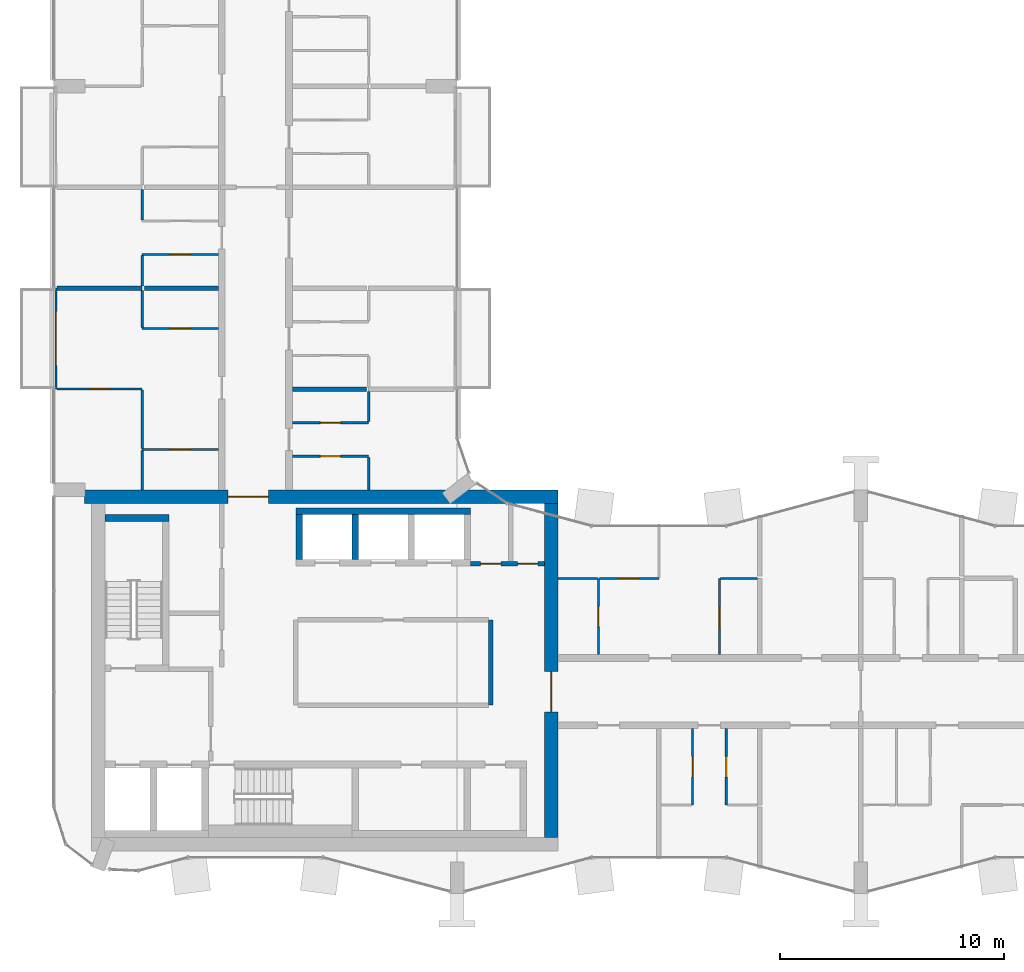
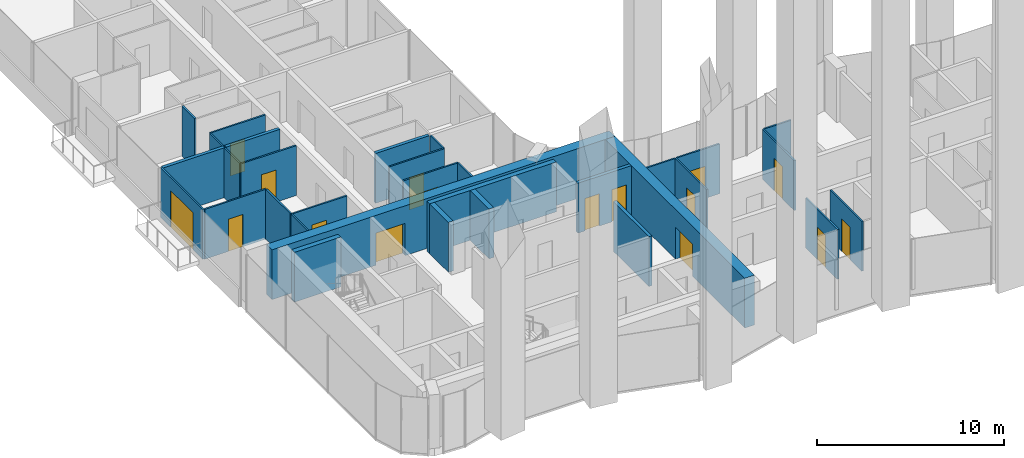
# One storey, part 10 of 18: 32 walls, 16 doors, 16 openings.
"""IFC4 building model written with IfcOpenShell, lengths in metres."""

from ifc_helpers import new_model, si_unit, direction, frame, frame_2d, origin, place, context, subcontext, project, spatial, rectangle, extrude, material, layer, layer_set, type_object, element, fill, save


model = new_model("IFC4")

# Units and contexts
model_context = context("Model", 3, precision=1e-05, world=origin(), true_north=direction((0.0, 1.0)))
body_context = subcontext(model_context, "Body", "Model", "MODEL_VIEW")
ifc_project = project(units=[si_unit("LENGTHUNIT", "METRE"), si_unit("AREAUNIT", "SQUARE_METRE"), si_unit("VOLUMEUNIT", "CUBIC_METRE"), si_unit("PLANEANGLEUNIT", "RADIAN"), si_unit("MASSUNIT", "GRAM", prefix="KILO")], contexts=[model_context])

# Site, building, storey
site_placement = place(None, origin())
site = spatial("IfcSite", under=ifc_project, at=site_placement, CompositionType="ELEMENT")
building_placement = place(site_placement, origin())
building = spatial("IfcBuilding", under=site, at=building_placement, Name="Plateau Cross Towers", CompositionType="ELEMENT")
storey_placement = place(building_placement, frame((0.0, 0.0, 139.39990234375)))
storey = spatial("IfcBuildingStorey", under=building, at=storey_placement, Name="L35", CompositionType="ELEMENT", Elevation=139.39990234375)

# Wall, opening, door
ifc_material_1 = material(Name="Aluminium framed glazing", Category="aluminium")
ifc_layer_1 = layer(ifc_material_1, 0.10009765625)
ifc_layer_set_1 = layer_set([ifc_layer_1], Name="Aluminium framed glazing")
wall_type_1 = type_object("IfcWallType", Name="Balcony screen wall 100", PredefinedType="STANDARD", material=ifc_layer_set_1)
wall_1_placement = place(storey_placement, frame((0.10009765625, 22.5, 0.0), z_axis=(0.0, 0.0, 1.0), x_axis=(0.0, 1.0, 0.0)))
wall_1 = element("IfcWall", 1, at=wall_1_placement, inside=storey, type_object=wall_type_1, Name="Balcony screen wall A-BAL-L35-01", PredefinedType="STANDARD", context=body_context, shape_type="SweptSolid", body=[
    extrude(rectangle(XDim=4.5, YDim=0.10009765625, at=frame_2d((2.25, 0.0))), origin(), (0.0, 0.0, 1.0), 3.25),
])
opening_1_placement = place(wall_1_placement, frame((1.050048828125, 0.0, 0.0)))
opening_1 = element("IfcOpeningElement", 2, at=opening_1_placement, cuts=wall_1, Name="Opening D-B24", PredefinedType="OPENING", context=body_context, shape_type="SweptSolid", body=[
    extrude(rectangle(XDim=2.39990234375, YDim=2.39990234375, at=frame_2d((1.199951171875, 1.199951171875))), frame((0.0, 0.06005859375, 0.0), z_axis=(0.0, -1.0, 0.0), x_axis=(1.0, 0.0, 0.0)), (0.0, 0.0, 1.0), 0.1201171875),
])
ifc_material_2 = material(Name="Aluminium frame, double glazing", Category="aluminium")
door_type_1 = type_object("IfcDoorType", Name="Balcony sliding door 2400", OperationType="NOTDEFINED", PredefinedType="DOOR", material=ifc_material_2)
door_1_placement = place(opening_1_placement, origin())
door_1 = element("IfcDoor", 3, at=door_1_placement, inside=storey, type_object=door_type_1, Name="Balcony door A-BAL-L35-01", OperationType="SINGLE_SWING_LEFT", OverallHeight=2.39990234375, OverallWidth=2.39990234375, PredefinedType="DOOR", context=body_context, shape_type="SweptSolid", body=[
    extrude(rectangle(XDim=2.39990234375, YDim=2.39990234375, at=frame_2d((1.199951171875, 1.199951171875))), frame((0.0, 0.02490234375, 0.0), z_axis=(0.0, -1.0, 0.0), x_axis=(1.0, 0.0, 0.0)), (0.0, 0.0, 1.0), 0.050048828125),
])
fill(opening_1, door_1)

# Wall
ifc_material_3 = material(Name="Concrete block, plastered both sides", Category="concrete")
ifc_layer_2 = layer(ifc_material_3, 0.199951171875)
ifc_layer_set_2 = layer_set([ifc_layer_2], Name="Concrete block, plastered both sides")
wall_type_2 = type_object("IfcWallType", Name="Core partition 200", PredefinedType="PARTITIONING", material=ifc_layer_set_2)
wall_2_placement = place(storey_placement, frame((19.5, 8.39990234375, 0.0), z_axis=(0.0, 0.0, 1.0), x_axis=(0.0, 1.0, 0.0)))
element("IfcWall", 4, at=wall_2_placement, inside=storey, type_object=wall_type_2, Name="Core partition", PredefinedType="PARTITIONING", context=body_context, shape_type="SweptSolid", body=[
    extrude(rectangle(XDim=3.800048828125, YDim=0.199951171875, at=frame_2d((1.89990234375, 0.0))), origin(), (0.0, 0.0, 1.0), 3.25),
])

# Wall, openings, doors
wall_3_placement = place(storey_placement, frame((18.60009765625, 14.699951171875, 0.0), z_axis=(0.0, 0.0, 1.0), x_axis=(1.0, 0.0, 0.0)))
wall_3 = element("IfcWall", 5, at=wall_3_placement, inside=storey, type_object=wall_type_2, Name="Core partition", PredefinedType="PARTITIONING", context=body_context, shape_type="SweptSolid", body=[
    extrude(rectangle(XDim=3.2998046875, YDim=0.199951171875, at=frame_2d((1.64990234375, 0.0))), origin(), (0.0, 0.0, 1.0), 3.25),
])
opening_2_placement = place(wall_3_placement, frame((0.449951171875, 0.0, 0.0)))
opening_2 = element("IfcOpeningElement", 6, at=opening_2_placement, cuts=wall_3, Name="Opening RD2", PredefinedType="OPENING", context=body_context, shape_type="SweptSolid", body=[
    extrude(rectangle(XDim=0.89990234375, YDim=2.10009765625, at=frame_2d((0.449951171875, 1.050048828125))), frame((0.0, 0.10986328125, 0.0), z_axis=(0.0, -1.0, 0.0), x_axis=(1.0, 0.0, 0.0)), (0.0, 0.0, 1.0), 0.219970703125),
])
opening_3_placement = place(wall_3_placement, frame((2.10009765625, 0.0, 0.0)))
opening_3 = element("IfcOpeningElement", 7, at=opening_3_placement, cuts=wall_3, Name="Opening RD2", PredefinedType="OPENING", context=body_context, shape_type="SweptSolid", body=[
    extrude(rectangle(XDim=0.89990234375, YDim=2.10009765625, at=frame_2d((0.449951171875, 1.050048828125))), frame((0.0, 0.10986328125, 0.0), z_axis=(0.0, -1.0, 0.0), x_axis=(1.0, 0.0, 0.0)), (0.0, 0.0, 1.0), 0.219970703125),
])
ifc_material_4 = material(Name="Steel, fire-resisting leaf", Category="steel")
door_type_2 = type_object("IfcDoorType", Name="Core riser door 900", OperationType="NOTDEFINED", PredefinedType="DOOR", material=ifc_material_4)
door_2_placement = place(opening_2_placement, origin())
door_2 = element("IfcDoor", 8, at=door_2_placement, inside=storey, type_object=door_type_2, Name="Core riser door RD2", OperationType="SINGLE_SWING_LEFT", OverallHeight=2.10009765625, OverallWidth=0.89990234375, PredefinedType="DOOR", context=body_context, shape_type="SweptSolid", body=[
    extrude(rectangle(XDim=0.89990234375, YDim=2.10009765625, at=frame_2d((0.449951171875, 1.050048828125))), frame((0.0, 0.02490234375, 0.0), z_axis=(0.0, -1.0, 0.0), x_axis=(1.0, 0.0, 0.0)), (0.0, 0.0, 1.0), 0.050048828125),
])
fill(opening_2, door_2)
door_3_placement = place(opening_3_placement, origin())
door_3 = element("IfcDoor", 9, at=door_3_placement, inside=storey, type_object=door_type_2, Name="Core riser door RD2", OperationType="SINGLE_SWING_LEFT", OverallHeight=2.10009765625, OverallWidth=0.89990234375, PredefinedType="DOOR", context=body_context, shape_type="SweptSolid", body=[
    extrude(rectangle(XDim=0.89990234375, YDim=2.10009765625, at=frame_2d((0.449951171875, 1.050048828125))), frame((0.0, 0.02490234375, 0.0), z_axis=(0.0, -1.0, 0.0), x_axis=(1.0, 0.0, 0.0)), (0.0, 0.0, 1.0), 0.050048828125),
])
fill(opening_3, door_3)

# Walls
ifc_material_5 = material(Name="Concrete C60/75", Category="concrete")
ifc_layer_3 = layer(ifc_material_5, 0.300048828125)
ifc_layer_set_3 = layer_set([ifc_layer_3], Name="Concrete C60/75")
wall_type_3 = type_object("IfcWallType", Name="Core shaft wall 300", PredefinedType="SHEAR", material=ifc_layer_set_3)
wall_4_placement = place(storey_placement, frame((2.300048828125, 16.75, 0.0), z_axis=(0.0, 0.0, 1.0), x_axis=(1.0, 0.0, 0.0)))
element("IfcWall", 10, at=wall_4_placement, inside=storey, type_object=wall_type_3, Name="A-st1-N@L35", PredefinedType="SHEAR", context=body_context, shape_type="SweptSolid", body=[
    extrude(rectangle(XDim=2.849853515625, YDim=0.300048828125, at=frame_2d((1.4248046875, 0.0))), origin(), (0.0, 0.0, 1.0), 3.25),
])
wall_5_placement = place(storey_placement, frame((10.800048828125, 17.050048828125, 0.0), z_axis=(0.0, 0.0, 1.0), x_axis=(1.0, 0.0, 0.0)))
element("IfcWall", 11, at=wall_5_placement, inside=storey, type_object=wall_type_3, Name="A-nb-back@L35", PredefinedType="SHEAR", context=body_context, shape_type="SweptSolid", body=[
    extrude(rectangle(XDim=7.800048828125, YDim=0.300048828125, at=frame_2d((3.89990234375, 0.0))), origin(), (0.0, 0.0, 1.0), 3.25),
])
for number, where, z_axis, x_axis, name in (
    (12, (10.949951171875, 14.89990234375, 0.0), (0.0, 0.0, 1.0), (0.0, 1.0, 0.0), "A-nb-v1@L35"),
    (13, (13.449951171875, 14.89990234375, 0.0), (0.0, 0.0, 1.0), (0.0, 1.0, 0.0), "A-nb-v2@L35"),
):
    element("IfcWall", number, at=place(storey_placement, frame(where, z_axis=z_axis, x_axis=x_axis)), inside=storey, type_object=wall_type_3, Name=name, PredefinedType="SHEAR", context=body_context, shape_type="SweptSolid", body=[
        extrude(rectangle(XDim=2.0, YDim=0.300048828125, at=frame_2d((1.0, 0.0))), origin(), (0.0, 0.0, 1.0), 3.25),
    ])

# Wall, opening, door
ifc_layer_4 = layer(ifc_material_5, 0.60009765625)
ifc_layer_set_4 = layer_set([ifc_layer_4], Name="Concrete C60/75")
wall_type_4 = type_object("IfcWallType", Name="Core shell wall 600", PredefinedType="SHEAR", material=ifc_layer_set_4)
wall_6_placement = place(storey_placement, frame((1.3798828125, 17.699951171875, 0.0), z_axis=(0.0, 0.0, 1.0), x_axis=(1.0, 0.0, 0.0)))
wall_6 = element("IfcWall", 14, at=wall_6_placement, inside=storey, type_object=wall_type_4, Name="A-core-N@L35", PredefinedType="SHEAR", context=body_context, shape_type="SweptSolid", body=[
    extrude(rectangle(XDim=21.1201171875, YDim=0.60009765625, at=frame_2d((10.56005859375, 0.0))), origin(), (0.0, 0.0, 1.0), 3.25),
])
opening_4_placement = place(wall_6_placement, frame((6.39990234375, 0.0, 0.0)))
opening_4 = element("IfcOpeningElement", 15, at=opening_4_placement, cuts=wall_6, Name="Opening CD", PredefinedType="OPENING", context=body_context, shape_type="SweptSolid", body=[
    extrude(rectangle(XDim=1.800048828125, YDim=2.10009765625, at=frame_2d((0.89990234375, 1.050048828125))), frame((0.0, 0.31005859375, 0.0), z_axis=(0.0, -1.0, 0.0), x_axis=(1.0, 0.0, 0.0)), (0.0, 0.0, 1.0), 0.6201171875),
])
ifc_material_6 = material(Name="Steel, fire-resisting leaves", Category="steel")
door_type_3 = type_object("IfcDoorType", Name="Corridor door pair 1800", OperationType="NOTDEFINED", PredefinedType="DOOR", material=ifc_material_6)
door_4_placement = place(opening_4_placement, origin())
door_4 = element("IfcDoor", 16, at=door_4_placement, inside=storey, type_object=door_type_3, Name="Corridor door pair CD", OperationType="DOUBLE_DOOR_SINGLE_SWING", OverallHeight=2.10009765625, OverallWidth=1.800048828125, PredefinedType="DOOR", context=body_context, shape_type="SweptSolid", body=[
    extrude(rectangle(XDim=1.800048828125, YDim=2.10009765625, at=frame_2d((0.89990234375, 1.050048828125))), frame((0.0, 0.02490234375, 0.0), z_axis=(0.0, -1.0, 0.0), x_axis=(1.0, 0.0, 0.0)), (0.0, 0.0, 1.0), 0.050048828125),
])
fill(opening_4, door_4)

wall_7_placement = place(storey_placement, frame((22.199951171875, 2.5, 0.0), z_axis=(0.0, 0.0, 1.0), x_axis=(0.0, 1.0, 0.0)))
wall_7 = element("IfcWall", 17, at=wall_7_placement, inside=storey, type_object=wall_type_4, Name="A-core-E@L35", PredefinedType="SHEAR", context=body_context, shape_type="SweptSolid", body=[
    extrude(rectangle(XDim=14.89990234375, YDim=0.60009765625, at=frame_2d((7.449951171875, 0.0))), origin(), (0.0, 0.0, 1.0), 3.25),
])
opening_5_placement = place(wall_7_placement, frame((5.60009765625, 0.0, 0.0)))
opening_5 = element("IfcOpeningElement", 18, at=opening_5_placement, cuts=wall_7, Name="Opening CD", PredefinedType="OPENING", context=body_context, shape_type="SweptSolid", body=[
    extrude(rectangle(XDim=1.800048828125, YDim=2.10009765625, at=frame_2d((0.89990234375, 1.050048828125))), frame((0.0, 0.31005859375, 0.0), z_axis=(0.0, -1.0, 0.0), x_axis=(1.0, 0.0, 0.0)), (0.0, 0.0, 1.0), 0.6201171875),
])
door_5_placement = place(opening_5_placement, origin())
door_5 = element("IfcDoor", 19, at=door_5_placement, inside=storey, type_object=door_type_3, Name="Corridor door pair CD", OperationType="DOUBLE_DOOR_SINGLE_SWING", OverallHeight=2.10009765625, OverallWidth=1.800048828125, PredefinedType="DOOR", context=body_context, shape_type="SweptSolid", body=[
    extrude(rectangle(XDim=1.800048828125, YDim=2.10009765625, at=frame_2d((0.89990234375, 1.050048828125))), frame((0.0, 0.02490234375, 0.0), z_axis=(0.0, -1.0, 0.0), x_axis=(1.0, 0.0, 0.0)), (0.0, 0.0, 1.0), 0.050048828125),
])
fill(opening_5, door_5)

# Walls
ifc_material_7 = material(Name="Gypsum board on steel studs", Category="steel")
ifc_layer_5 = layer(ifc_material_7, 0.10009765625)
ifc_layer_set_5 = layer_set([ifc_layer_5], Name="Gypsum board on steel studs")
wall_type_5 = type_object("IfcWallType", Name="Flat partition 100", PredefinedType="PARTITIONING", material=ifc_layer_set_5)
wall_8_placement = place(storey_placement, frame((24.25, 14.050048828125, 0.0), z_axis=(0.0, 0.0, 1.0), x_axis=(-1.0, 0.0, 0.0)))
element("IfcWall", 20, at=wall_8_placement, inside=storey, type_object=wall_type_5, Name="Partition wall", PredefinedType="PARTITIONING", context=body_context, shape_type="SweptSolid", body=[
    extrude(rectangle(XDim=1.75, YDim=0.10009765625, at=frame_2d((0.875, 0.0))), origin(), (0.0, 0.0, 1.0), 3.25),
])
wall_9_placement = place(storey_placement, frame((31.39990234375, 14.050048828125, 0.0), z_axis=(0.0, 0.0, 1.0), x_axis=(-1.0, 0.0, 0.0)))
element("IfcWall", 21, at=wall_9_placement, inside=storey, type_object=wall_type_5, Name="Partition wall", PredefinedType="PARTITIONING", context=body_context, shape_type="SweptSolid", body=[
    extrude(rectangle(XDim=1.64990234375, YDim=0.10009765625, at=frame_2d((0.824951171875, 0.0))), origin(), (0.0, 0.0, 1.0), 3.25),
])

# Wall, opening, door
wall_10_placement = place(storey_placement, frame((24.35009765625, 14.050048828125, 0.0), z_axis=(0.0, 0.0, 1.0), x_axis=(1.0, 0.0, 0.0)))
wall_10 = element("IfcWall", 22, at=wall_10_placement, inside=storey, type_object=wall_type_5, Name="Partition wall", PredefinedType="PARTITIONING", context=body_context, shape_type="SweptSolid", body=[
    extrude(rectangle(XDim=2.64990234375, YDim=0.10009765625, at=frame_2d((1.324951171875, 0.0))), origin(), (0.0, 0.0, 1.0), 3.25),
])
opening_6_placement = place(wall_10_placement, frame((0.85009765625, 0.0, 0.0)))
opening_6 = element("IfcOpeningElement", 23, at=opening_6_placement, cuts=wall_10, Name="Opening 35-33", PredefinedType="OPENING", context=body_context, shape_type="SweptSolid", body=[
    extrude(rectangle(XDim=0.89990234375, YDim=2.10009765625, at=frame_2d((0.449951171875, 1.050048828125))), frame((0.0, 0.06005859375, 0.0), z_axis=(0.0, -1.0, 0.0), x_axis=(1.0, 0.0, 0.0)), (0.0, 0.0, 1.0), 0.1201171875),
])
ifc_material_8 = material(Name="Timber leaf", Category="wood")
door_type_4 = type_object("IfcDoorType", Name="Flat room door 900", OperationType="NOTDEFINED", PredefinedType="DOOR", material=ifc_material_8)
door_6_placement = place(opening_6_placement, origin())
door_6 = element("IfcDoor", 24, at=door_6_placement, inside=storey, type_object=door_type_4, Name="Door 35-33", OperationType="SINGLE_SWING_LEFT", OverallHeight=2.10009765625, OverallWidth=0.89990234375, PredefinedType="DOOR", context=body_context, shape_type="SweptSolid", body=[
    extrude(rectangle(XDim=0.89990234375, YDim=2.10009765625, at=frame_2d((0.449951171875, 1.050048828125))), frame((0.0, 0.02490234375, 0.0), z_axis=(0.0, -1.0, 0.0), x_axis=(1.0, 0.0, 0.0)), (0.0, 0.0, 1.0), 0.050048828125),
])
fill(opening_6, door_6)

wall_11_placement = place(storey_placement, frame((14.050048828125, 19.5, 0.0), z_axis=(0.0, 0.0, 1.0), x_axis=(-1.0, 0.0, 0.0)))
wall_11 = element("IfcWall", 25, at=wall_11_placement, inside=storey, type_object=wall_type_5, Name="Partition wall", PredefinedType="PARTITIONING", context=body_context, shape_type="SweptSolid", body=[
    extrude(rectangle(XDim=3.400146484375, YDim=0.10009765625, at=frame_2d((1.7001953125, 0.0))), origin(), (0.0, 0.0, 1.0), 3.25),
])
opening_7_placement = place(wall_11_placement, frame((1.25, 0.0, 0.0)))
opening_7 = element("IfcOpeningElement", 26, at=opening_7_placement, cuts=wall_11, Name="Opening 35-44", PredefinedType="OPENING", context=body_context, shape_type="SweptSolid", body=[
    extrude(rectangle(XDim=0.89990234375, YDim=2.10009765625, at=frame_2d((0.449951171875, 1.050048828125))), frame((0.0, 0.06005859375, 0.0), z_axis=(0.0, -1.0, 0.0), x_axis=(1.0, 0.0, 0.0)), (0.0, 0.0, 1.0), 0.1201171875),
])
door_7_placement = place(opening_7_placement, origin())
door_7 = element("IfcDoor", 27, at=door_7_placement, inside=storey, type_object=door_type_4, Name="Door 35-44", OperationType="SINGLE_SWING_LEFT", OverallHeight=2.10009765625, OverallWidth=0.89990234375, PredefinedType="DOOR", context=body_context, shape_type="SweptSolid", body=[
    extrude(rectangle(XDim=0.89990234375, YDim=2.10009765625, at=frame_2d((0.449951171875, 1.050048828125))), frame((0.0, 0.02490234375, 0.0), z_axis=(0.0, -1.0, 0.0), x_axis=(1.0, 0.0, 0.0)), (0.0, 0.0, 1.0), 0.050048828125),
])
fill(opening_7, door_7)

wall_12_placement = place(storey_placement, frame((7.35009765625, 19.800048828125, 0.0), z_axis=(0.0, 0.0, 1.0), x_axis=(-1.0, 0.0, 0.0)))
wall_12 = element("IfcWall", 28, at=wall_12_placement, inside=storey, type_object=wall_type_5, Name="Partition wall", PredefinedType="PARTITIONING", context=body_context, shape_type="SweptSolid", body=[
    extrude(rectangle(XDim=3.400146484375, YDim=0.10009765625, at=frame_2d((1.7001953125, 0.0))), origin(), (0.0, 0.0, 1.0), 3.25),
])
opening_8_placement = place(wall_12_placement, frame((1.25, 0.0, 0.0)))
opening_8 = element("IfcOpeningElement", 29, at=opening_8_placement, cuts=wall_12, Name="Opening 35-36", PredefinedType="OPENING", context=body_context, shape_type="SweptSolid", body=[
    extrude(rectangle(XDim=0.89990234375, YDim=2.10009765625, at=frame_2d((0.449951171875, 1.050048828125))), frame((0.0, 0.06005859375, 0.0), z_axis=(0.0, -1.0, 0.0), x_axis=(1.0, 0.0, 0.0)), (0.0, 0.0, 1.0), 0.1201171875),
])
door_8_placement = place(opening_8_placement, origin())
door_8 = element("IfcDoor", 30, at=door_8_placement, inside=storey, type_object=door_type_4, Name="Door 35-36", OperationType="SINGLE_SWING_RIGHT", OverallHeight=2.10009765625, OverallWidth=0.89990234375, PredefinedType="DOOR", context=body_context, shape_type="SweptSolid", body=[
    extrude(rectangle(XDim=0.89990234375, YDim=2.10009765625, at=frame_2d((0.449951171875, 1.050048828125))), frame((0.0, 0.02490234375, 0.0), z_axis=(0.0, -1.0, 0.0), x_axis=(1.0, 0.0, 0.0)), (0.0, 0.0, 1.0), 0.050048828125),
])
fill(opening_8, door_8)

wall_13_placement = place(storey_placement, frame((10.64990234375, 21.0, 0.0), z_axis=(0.0, 0.0, 1.0), x_axis=(1.0, 0.0, 0.0)))
wall_13 = element("IfcWall", 31, at=wall_13_placement, inside=storey, type_object=wall_type_5, Name="Partition wall", PredefinedType="PARTITIONING", context=body_context, shape_type="SweptSolid", body=[
    extrude(rectangle(XDim=3.400146484375, YDim=0.10009765625, at=frame_2d((1.7001953125, 0.0))), origin(), (0.0, 0.0, 1.0), 3.25),
])
opening_9_placement = place(wall_13_placement, frame((1.25, 0.0, 0.0)))
opening_9 = element("IfcOpeningElement", 32, at=opening_9_placement, cuts=wall_13, Name="Opening 35-45", PredefinedType="OPENING", context=body_context, shape_type="SweptSolid", body=[
    extrude(rectangle(XDim=0.89990234375, YDim=2.10009765625, at=frame_2d((0.449951171875, 1.050048828125))), frame((0.0, 0.06005859375, 0.0), z_axis=(0.0, -1.0, 0.0), x_axis=(1.0, 0.0, 0.0)), (0.0, 0.0, 1.0), 0.1201171875),
])
door_9_placement = place(opening_9_placement, origin())
door_9 = element("IfcDoor", 33, at=door_9_placement, inside=storey, type_object=door_type_4, Name="Door 35-45", OperationType="SINGLE_SWING_LEFT", OverallHeight=2.10009765625, OverallWidth=0.89990234375, PredefinedType="DOOR", context=body_context, shape_type="SweptSolid", body=[
    extrude(rectangle(XDim=0.89990234375, YDim=2.10009765625, at=frame_2d((0.449951171875, 1.050048828125))), frame((0.0, 0.02490234375, 0.0), z_axis=(0.0, -1.0, 0.0), x_axis=(1.0, 0.0, 0.0)), (0.0, 0.0, 1.0), 0.050048828125),
])
fill(opening_9, door_9)

wall_14_placement = place(storey_placement, frame((3.949951171875, 22.5, 0.0), z_axis=(0.0, 0.0, 1.0), x_axis=(-1.0, 0.0, 0.0)))
wall_14 = element("IfcWall", 34, at=wall_14_placement, inside=storey, type_object=wall_type_5, Name="Partition wall", PredefinedType="PARTITIONING", context=body_context, shape_type="SweptSolid", body=[
    extrude(rectangle(XDim=3.800048828125, YDim=0.10009765625, at=frame_2d((1.89990234375, 0.0))), origin(), (0.0, 0.0, 1.0), 3.25),
])
opening_10_placement = place(wall_14_placement, frame((1.449951171875, 0.0, 0.0)))
opening_10 = element("IfcOpeningElement", 35, at=opening_10_placement, cuts=wall_14, Name="Opening 35-38", PredefinedType="OPENING", context=body_context, shape_type="SweptSolid", body=[
    extrude(rectangle(XDim=0.89990234375, YDim=2.10009765625, at=frame_2d((0.449951171875, 1.050048828125))), frame((0.0, 0.06005859375, 0.0), z_axis=(0.0, -1.0, 0.0), x_axis=(1.0, 0.0, 0.0)), (0.0, 0.0, 1.0), 0.1201171875),
])
door_10_placement = place(opening_10_placement, origin())
door_10 = element("IfcDoor", 36, at=door_10_placement, inside=storey, type_object=door_type_4, Name="Door 35-38", OperationType="SINGLE_SWING_LEFT", OverallHeight=2.10009765625, OverallWidth=0.89990234375, PredefinedType="DOOR", context=body_context, shape_type="SweptSolid", body=[
    extrude(rectangle(XDim=0.89990234375, YDim=2.10009765625, at=frame_2d((0.449951171875, 1.050048828125))), frame((0.0, 0.02490234375, 0.0), z_axis=(0.0, -1.0, 0.0), x_axis=(1.0, 0.0, 0.0)), (0.0, 0.0, 1.0), 0.050048828125),
])
fill(opening_10, door_10)

wall_15_placement = place(storey_placement, frame((3.949951171875, 25.199951171875, 0.0), z_axis=(0.0, 0.0, 1.0), x_axis=(1.0, 0.0, 0.0)))
wall_15 = element("IfcWall", 37, at=wall_15_placement, inside=storey, type_object=wall_type_5, Name="Partition wall", PredefinedType="PARTITIONING", context=body_context, shape_type="SweptSolid", body=[
    extrude(rectangle(XDim=3.400146484375, YDim=0.10009765625, at=frame_2d((1.7001953125, 0.0))), origin(), (0.0, 0.0, 1.0), 3.25),
])
opening_11_placement = place(wall_15_placement, frame((1.25, 0.0, 0.0)))
opening_11 = element("IfcOpeningElement", 38, at=opening_11_placement, cuts=wall_15, Name="Opening 35-37", PredefinedType="OPENING", context=body_context, shape_type="SweptSolid", body=[
    extrude(rectangle(XDim=0.89990234375, YDim=2.10009765625, at=frame_2d((0.449951171875, 1.050048828125))), frame((0.0, 0.06005859375, 0.0), z_axis=(0.0, -1.0, 0.0), x_axis=(1.0, 0.0, 0.0)), (0.0, 0.0, 1.0), 0.1201171875),
])
door_11_placement = place(opening_11_placement, origin())
door_11 = element("IfcDoor", 39, at=door_11_placement, inside=storey, type_object=door_type_4, Name="Door 35-37", OperationType="SINGLE_SWING_RIGHT", OverallHeight=2.10009765625, OverallWidth=0.89990234375, PredefinedType="DOOR", context=body_context, shape_type="SweptSolid", body=[
    extrude(rectangle(XDim=0.89990234375, YDim=2.10009765625, at=frame_2d((0.449951171875, 1.050048828125))), frame((0.0, 0.02490234375, 0.0), z_axis=(0.0, -1.0, 0.0), x_axis=(1.0, 0.0, 0.0)), (0.0, 0.0, 1.0), 0.050048828125),
])
fill(opening_11, door_11)

wall_16_placement = place(storey_placement, frame((7.35009765625, 28.5, 0.0), z_axis=(0.0, 0.0, 1.0), x_axis=(-1.0, 0.0, 0.0)))
wall_16 = element("IfcWall", 40, at=wall_16_placement, inside=storey, type_object=wall_type_5, Name="Partition wall", PredefinedType="PARTITIONING", context=body_context, shape_type="SweptSolid", body=[
    extrude(rectangle(XDim=3.400146484375, YDim=0.10009765625, at=frame_2d((1.7001953125, 0.0))), origin(), (0.0, 0.0, 1.0), 3.25),
])
opening_12_placement = place(wall_16_placement, frame((1.25, 0.0, 0.0)))
opening_12 = element("IfcOpeningElement", 41, at=opening_12_placement, cuts=wall_16, Name="Opening 35-39", PredefinedType="OPENING", context=body_context, shape_type="SweptSolid", body=[
    extrude(rectangle(XDim=0.89990234375, YDim=2.10009765625, at=frame_2d((0.449951171875, 1.050048828125))), frame((0.0, 0.06005859375, 0.0), z_axis=(0.0, -1.0, 0.0), x_axis=(1.0, 0.0, 0.0)), (0.0, 0.0, 1.0), 0.1201171875),
])
door_12_placement = place(opening_12_placement, origin())
door_12 = element("IfcDoor", 42, at=door_12_placement, inside=storey, type_object=door_type_4, Name="Door 35-39", OperationType="SINGLE_SWING_RIGHT", OverallHeight=2.10009765625, OverallWidth=0.89990234375, PredefinedType="DOOR", context=body_context, shape_type="SweptSolid", body=[
    extrude(rectangle(XDim=0.89990234375, YDim=2.10009765625, at=frame_2d((0.449951171875, 1.050048828125))), frame((0.0, 0.02490234375, 0.0), z_axis=(0.0, -1.0, 0.0), x_axis=(1.0, 0.0, 0.0)), (0.0, 0.0, 1.0), 0.050048828125),
])
fill(opening_12, door_12)

# Walls
wall_17_placement = place(storey_placement, frame((3.949951171875, 19.75, 0.0), z_axis=(0.0, 0.0, 1.0), x_axis=(0.0, -1.0, 0.0)))
element("IfcWall", 43, at=wall_17_placement, inside=storey, type_object=wall_type_5, Name="Partition wall", PredefinedType="PARTITIONING", context=body_context, shape_type="SweptSolid", body=[
    extrude(rectangle(XDim=1.75, YDim=0.10009765625, at=frame_2d((0.875, 0.0))), origin(), (0.0, 0.0, 1.0), 3.25),
])
wall_18_placement = place(storey_placement, frame((3.949951171875, 26.89990234375, 0.0), z_axis=(0.0, 0.0, 1.0), x_axis=(0.0, -1.0, 0.0)))
element("IfcWall", 44, at=wall_18_placement, inside=storey, type_object=wall_type_5, Name="Partition wall", PredefinedType="PARTITIONING", context=body_context, shape_type="SweptSolid", body=[
    extrude(rectangle(XDim=1.64990234375, YDim=0.10009765625, at=frame_2d((0.824951171875, 0.0))), origin(), (0.0, 0.0, 1.0), 3.25),
])
for number, where, z_axis, x_axis, name in (
    (45, (3.949951171875, 28.449951171875, 0.0), (0.0, 0.0, 1.0), (0.0, -1.0, 0.0), "Partition wall"),
    (46, (3.949951171875, 31.39990234375, 0.0), (0.0, 0.0, 1.0), (0.0, -1.0, 0.0), "Partition wall"),
):
    element("IfcWall", number, at=place(storey_placement, frame(where, z_axis=z_axis, x_axis=x_axis)), inside=storey, type_object=wall_type_5, Name=name, PredefinedType="PARTITIONING", context=body_context, shape_type="SweptSolid", body=[
        extrude(rectangle(XDim=1.349853515625, YDim=0.10009765625, at=frame_2d((0.6748046875, 0.0))), origin(), (0.0, 0.0, 1.0), 3.25),
    ])
wall_19_placement = place(storey_placement, frame((3.949951171875, 19.85009765625, 0.0), z_axis=(0.0, 0.0, 1.0), x_axis=(0.0, 1.0, 0.0)))
element("IfcWall", 47, at=wall_19_placement, inside=storey, type_object=wall_type_5, Name="Partition wall", PredefinedType="PARTITIONING", context=body_context, shape_type="SweptSolid", body=[
    extrude(rectangle(XDim=2.599853515625, YDim=0.10009765625, at=frame_2d((1.2998046875, 0.0))), origin(), (0.0, 0.0, 1.0), 3.25),
])
wall_20_placement = place(storey_placement, frame((14.050048828125, 18.0, 0.0), z_axis=(0.0, 0.0, 1.0), x_axis=(0.0, 1.0, 0.0)))
element("IfcWall", 48, at=wall_20_placement, inside=storey, type_object=wall_type_5, Name="Partition wall", PredefinedType="PARTITIONING", context=body_context, shape_type="SweptSolid", body=[
    extrude(rectangle(XDim=1.449951171875, YDim=0.10009765625, at=frame_2d((0.72509765625, 0.0))), origin(), (0.0, 0.0, 1.0), 3.25),
])
wall_21_placement = place(storey_placement, frame((14.050048828125, 21.050048828125, 0.0), z_axis=(0.0, 0.0, 1.0), x_axis=(0.0, 1.0, 0.0)))
element("IfcWall", 49, at=wall_21_placement, inside=storey, type_object=wall_type_5, Name="Partition wall", PredefinedType="PARTITIONING", context=body_context, shape_type="SweptSolid", body=[
    extrude(rectangle(XDim=1.349853515625, YDim=0.10009765625, at=frame_2d((0.6748046875, 0.0))), origin(), (0.0, 0.0, 1.0), 3.25),
])

# Wall, opening, door
wall_22_placement = place(storey_placement, frame((24.300048828125, 10.64990234375, 0.0), z_axis=(0.0, 0.0, 1.0), x_axis=(0.0, 1.0, 0.0)))
wall_22 = element("IfcWall", 50, at=wall_22_placement, inside=storey, type_object=wall_type_5, Name="Partition wall", PredefinedType="PARTITIONING", context=body_context, shape_type="SweptSolid", body=[
    extrude(rectangle(XDim=3.400146484375, YDim=0.10009765625, at=frame_2d((1.7001953125, 0.0))), origin(), (0.0, 0.0, 1.0), 3.25),
])
opening_13_placement = place(wall_22_placement, frame((1.25, 0.0, 0.0)))
opening_13 = element("IfcOpeningElement", 51, at=opening_13_placement, cuts=wall_22, Name="Opening 35-31", PredefinedType="OPENING", context=body_context, shape_type="SweptSolid", body=[
    extrude(rectangle(XDim=0.89990234375, YDim=2.10009765625, at=frame_2d((0.449951171875, 1.050048828125))), frame((0.0, 0.06005859375, 0.0), z_axis=(0.0, -1.0, 0.0), x_axis=(1.0, 0.0, 0.0)), (0.0, 0.0, 1.0), 0.1201171875),
])
door_13_placement = place(opening_13_placement, origin())
door_13 = element("IfcDoor", 52, at=door_13_placement, inside=storey, type_object=door_type_4, Name="Door 35-31", OperationType="SINGLE_SWING_LEFT", OverallHeight=2.10009765625, OverallWidth=0.89990234375, PredefinedType="DOOR", context=body_context, shape_type="SweptSolid", body=[
    extrude(rectangle(XDim=0.89990234375, YDim=2.10009765625, at=frame_2d((0.449951171875, 1.050048828125))), frame((0.0, 0.02490234375, 0.0), z_axis=(0.0, -1.0, 0.0), x_axis=(1.0, 0.0, 0.0)), (0.0, 0.0, 1.0), 0.050048828125),
])
fill(opening_13, door_13)

wall_23_placement = place(storey_placement, frame((28.5, 3.949951171875, 0.0), z_axis=(0.0, 0.0, 1.0), x_axis=(0.0, 1.0, 0.0)))
wall_23 = element("IfcWall", 53, at=wall_23_placement, inside=storey, type_object=wall_type_5, Name="Partition wall", PredefinedType="PARTITIONING", context=body_context, shape_type="SweptSolid", body=[
    extrude(rectangle(XDim=3.400146484375, YDim=0.10009765625, at=frame_2d((1.7001953125, 0.0))), origin(), (0.0, 0.0, 1.0), 3.25),
])
opening_14_placement = place(wall_23_placement, frame((1.25, 0.0, 0.0)))
opening_14 = element("IfcOpeningElement", 54, at=opening_14_placement, cuts=wall_23, Name="Opening 35-24", PredefinedType="OPENING", context=body_context, shape_type="SweptSolid", body=[
    extrude(rectangle(XDim=0.89990234375, YDim=2.10009765625, at=frame_2d((0.449951171875, 1.050048828125))), frame((0.0, 0.06005859375, 0.0), z_axis=(0.0, -1.0, 0.0), x_axis=(1.0, 0.0, 0.0)), (0.0, 0.0, 1.0), 0.1201171875),
])
door_14_placement = place(opening_14_placement, origin())
door_14 = element("IfcDoor", 55, at=door_14_placement, inside=storey, type_object=door_type_4, Name="Door 35-24", OperationType="SINGLE_SWING_RIGHT", OverallHeight=2.10009765625, OverallWidth=0.89990234375, PredefinedType="DOOR", context=body_context, shape_type="SweptSolid", body=[
    extrude(rectangle(XDim=0.89990234375, YDim=2.10009765625, at=frame_2d((0.449951171875, 1.050048828125))), frame((0.0, 0.02490234375, 0.0), z_axis=(0.0, -1.0, 0.0), x_axis=(1.0, 0.0, 0.0)), (0.0, 0.0, 1.0), 0.050048828125),
])
fill(opening_14, door_14)

wall_24_placement = place(storey_placement, frame((29.699951171875, 14.050048828125, 0.0), z_axis=(0.0, 0.0, 1.0), x_axis=(0.0, -1.0, 0.0)))
wall_24 = element("IfcWall", 56, at=wall_24_placement, inside=storey, type_object=wall_type_5, Name="Partition wall", PredefinedType="PARTITIONING", context=body_context, shape_type="SweptSolid", body=[
    extrude(rectangle(XDim=3.400146484375, YDim=0.10009765625, at=frame_2d((1.7001953125, 0.0))), origin(), (0.0, 0.0, 1.0), 3.25),
])
opening_15_placement = place(wall_24_placement, frame((1.25, 0.0, 0.0)))
opening_15 = element("IfcOpeningElement", 57, at=opening_15_placement, cuts=wall_24, Name="Opening 35-32", PredefinedType="OPENING", context=body_context, shape_type="SweptSolid", body=[
    extrude(rectangle(XDim=0.89990234375, YDim=2.10009765625, at=frame_2d((0.449951171875, 1.050048828125))), frame((0.0, 0.06005859375, 0.0), z_axis=(0.0, -1.0, 0.0), x_axis=(1.0, 0.0, 0.0)), (0.0, 0.0, 1.0), 0.1201171875),
])
door_15_placement = place(opening_15_placement, origin())
door_15 = element("IfcDoor", 58, at=door_15_placement, inside=storey, type_object=door_type_4, Name="Door 35-32", OperationType="SINGLE_SWING_LEFT", OverallHeight=2.10009765625, OverallWidth=0.89990234375, PredefinedType="DOOR", context=body_context, shape_type="SweptSolid", body=[
    extrude(rectangle(XDim=0.89990234375, YDim=2.10009765625, at=frame_2d((0.449951171875, 1.050048828125))), frame((0.0, 0.02490234375, 0.0), z_axis=(0.0, -1.0, 0.0), x_axis=(1.0, 0.0, 0.0)), (0.0, 0.0, 1.0), 0.050048828125),
])
fill(opening_15, door_15)

wall_25_placement = place(storey_placement, frame((30.0, 7.35009765625, 0.0), z_axis=(0.0, 0.0, 1.0), x_axis=(0.0, -1.0, 0.0)))
wall_25 = element("IfcWall", 59, at=wall_25_placement, inside=storey, type_object=wall_type_5, Name="Partition wall", PredefinedType="PARTITIONING", context=body_context, shape_type="SweptSolid", body=[
    extrude(rectangle(XDim=3.400146484375, YDim=0.10009765625, at=frame_2d((1.7001953125, 0.0))), origin(), (0.0, 0.0, 1.0), 3.25),
])
opening_16_placement = place(wall_25_placement, frame((1.25, 0.0, 0.0)))
opening_16 = element("IfcOpeningElement", 60, at=opening_16_placement, cuts=wall_25, Name="Opening 35-25", PredefinedType="OPENING", context=body_context, shape_type="SweptSolid", body=[
    extrude(rectangle(XDim=0.89990234375, YDim=2.10009765625, at=frame_2d((0.449951171875, 1.050048828125))), frame((0.0, 0.06005859375, 0.0), z_axis=(0.0, -1.0, 0.0), x_axis=(1.0, 0.0, 0.0)), (0.0, 0.0, 1.0), 0.1201171875),
])
door_16_placement = place(opening_16_placement, origin())
door_16 = element("IfcDoor", 61, at=door_16_placement, inside=storey, type_object=door_type_4, Name="Door 35-25", OperationType="SINGLE_SWING_RIGHT", OverallHeight=2.10009765625, OverallWidth=0.89990234375, PredefinedType="DOOR", context=body_context, shape_type="SweptSolid", body=[
    extrude(rectangle(XDim=0.89990234375, YDim=2.10009765625, at=frame_2d((0.449951171875, 1.050048828125))), frame((0.0, 0.02490234375, 0.0), z_axis=(0.0, -1.0, 0.0), x_axis=(1.0, 0.0, 0.0)), (0.0, 0.0, 1.0), 0.050048828125),
])
fill(opening_16, door_16)

# Walls
ifc_material_9 = material(Name="Gypsum board on steel studs, two layers each side", Category="steel")
ifc_layer_6 = layer(ifc_material_9, 0.199951171875)
ifc_layer_set_6 = layer_set([ifc_layer_6], Name="Gypsum board on steel studs, two layers each side")
wall_type_6 = type_object("IfcWallType", Name="Flat party wall 200", PredefinedType="PARTITIONING", material=ifc_layer_set_6)
for number, where, z_axis, x_axis, name in (
    (62, (13.949951171875, 22.5, 0.0), (0.0, 0.0, 1.0), (-1.0, 0.0, 0.0), "Party wall"),
    (63, (7.35009765625, 27.0, 0.0), (0.0, 0.0, 1.0), (-1.0, 0.0, 0.0), "Party wall"),
):
    element("IfcWall", number, at=place(storey_placement, frame(where, z_axis=z_axis, x_axis=x_axis)), inside=storey, type_object=wall_type_6, Name=name, PredefinedType="PARTITIONING", context=body_context, shape_type="SweptSolid", body=[
        extrude(rectangle(XDim=3.300048828125, YDim=0.199951171875, at=frame_2d((1.64990234375, 0.0))), origin(), (0.0, 0.0, 1.0), 3.25),
    ])
wall_26_placement = place(storey_placement, frame((0.14990234375, 27.0, 0.0), z_axis=(0.0, 0.0, 1.0), x_axis=(1.0, 0.0, 0.0)))
element("IfcWall", 64, at=wall_26_placement, inside=storey, type_object=wall_type_6, Name="Party wall", PredefinedType="PARTITIONING", context=body_context, shape_type="SweptSolid", body=[
    extrude(rectangle(XDim=3.800048828125, YDim=0.199951171875, at=frame_2d((1.89990234375, 0.0))), origin(), (0.0, 0.0, 1.0), 3.25),
])

save(model, "model.ifc")
